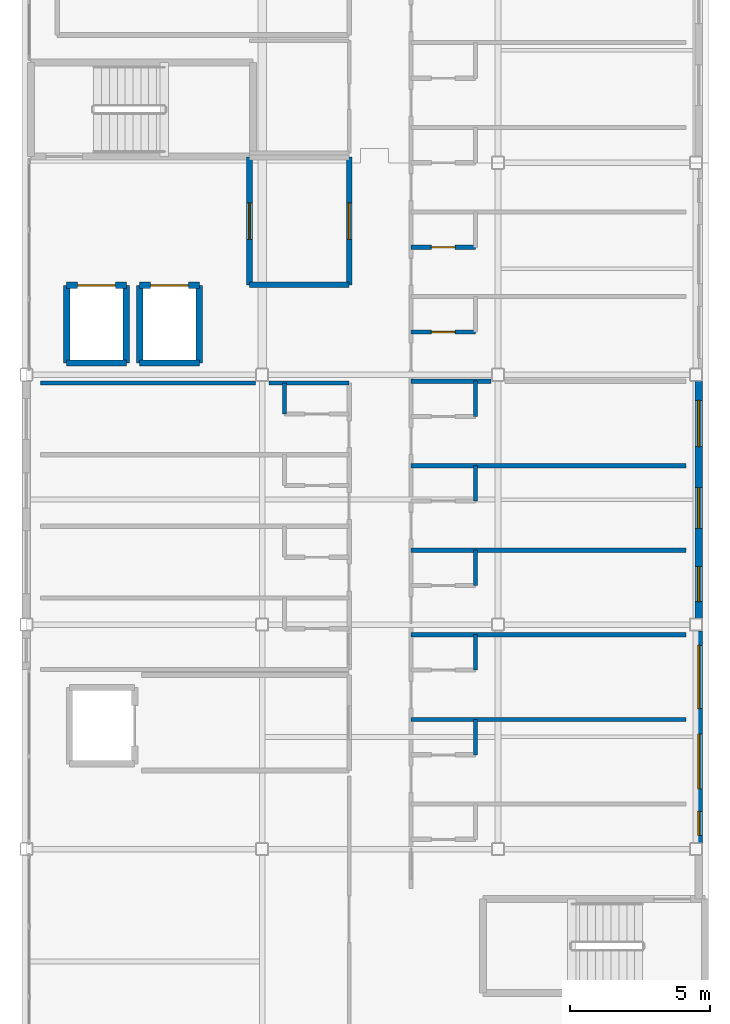
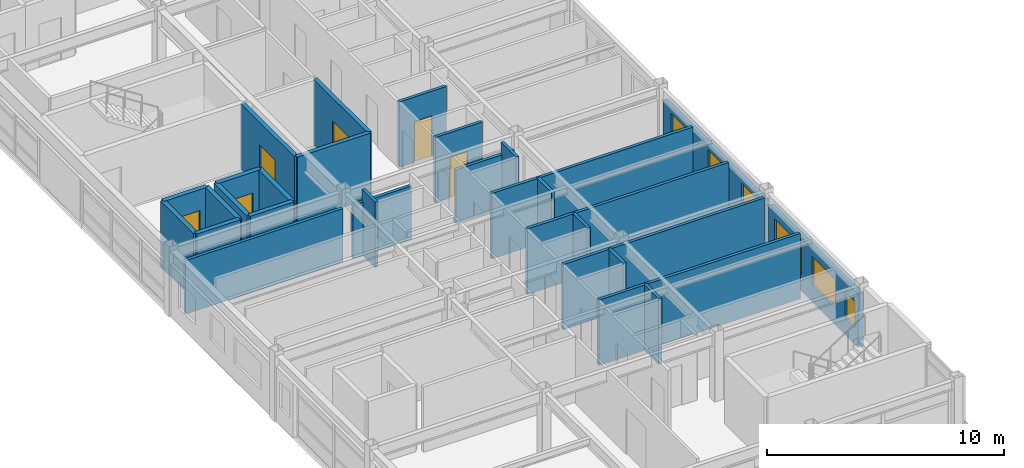
# One storey, part 21 of 28: 28 walls, 6 doors, 6 windows, 12 openings.
"""IFC4 building model written with IfcOpenShell, lengths in metres."""

from ifc_helpers import new_model, si_unit, direction, frame, frame_2d, origin, place, context, subcontext, project, spatial, rectangle, extrude, material, layer, layer_set, type_object, element, fill, save


model = new_model("IFC4")

# Units and contexts
model_context = context("Model", 3, precision=1e-05, world=origin(), true_north=direction((0.0, 1.0)))
body_context = subcontext(model_context, "Body", "Model", "MODEL_VIEW")
ifc_project = project(units=[si_unit("LENGTHUNIT", "METRE"), si_unit("AREAUNIT", "SQUARE_METRE"), si_unit("VOLUMEUNIT", "CUBIC_METRE"), si_unit("PLANEANGLEUNIT", "RADIAN"), si_unit("MASSUNIT", "GRAM", prefix="KILO")], contexts=[model_context])

# Site, building, storey
site_placement = place(None, origin())
site = spatial("IfcSite", under=ifc_project, at=site_placement, CompositionType="ELEMENT")
building_placement = place(site_placement, origin())
building = spatial("IfcBuilding", under=site, at=building_placement, Name="Kazehara Bluff Congress Hotel", CompositionType="ELEMENT")
storey_placement = place(building_placement, frame((0.0, 0.0, 42.60009765625)))
storey = spatial("IfcBuildingStorey", under=building, at=storey_placement, Name="L10", CompositionType="ELEMENT", Elevation=42.60009765625)

# Wall, openings, windows
ifc_material_1 = material(Name="Precast concrete C40/50", Category="concrete")
ifc_layer_1 = layer(ifc_material_1, 0.260009765625)
ifc_layer_set_1 = layer_set([ifc_layer_1], Name="Precast concrete C40/50")
wall_type_1 = type_object("IfcWallType", Name="TP-EW-260", PredefinedType="SOLIDWALL", material=ifc_layer_set_1)
wall_1_placement = place(storey_placement, frame((167.64990234375, 31.77490234375, 0.0), z_axis=(0.0, 0.0, 1.0), x_axis=(0.0, -1.0, 0.0)))
wall_1 = element("IfcWall", 1, at=wall_1_placement, inside=storey, type_object=wall_type_1, Name="L10 hotel facade panel 151", PredefinedType="SOLIDWALL", context=body_context, shape_type="SweptSolid", body=[
    extrude(rectangle(XDim=7.5498046875, YDim=0.260009765625, at=frame_2d((3.77490234375, 0.0))), origin(), (0.0, 0.0, 1.0), 2.7548828125),
])
opening_1_placement = place(wall_1_placement, frame((6.429931640625, 0.0, 0.85009765625)))
opening_1 = element("IfcOpeningElement", 2, at=opening_1_placement, cuts=wall_1, Name="Opening WN-55", PredefinedType="OPENING", context=body_context, shape_type="SweptSolid", body=[
    extrude(rectangle(XDim=0.85009765625, YDim=1.35009765625, at=frame_2d((0.425048828125, 0.675048828125))), frame((0.0, 0.139892578125, 0.0), z_axis=(0.0, -1.0, 0.0), x_axis=(1.0, 0.0, 0.0)), (0.0, 0.0, 1.0), 0.280029296875),
])
opening_2_placement = place(wall_1_placement, frame((3.679931640625, 0.0, 0.85009765625)))
opening_2 = element("IfcOpeningElement", 3, at=opening_2_placement, cuts=wall_1, Name="Opening WN-42", PredefinedType="OPENING", context=body_context, shape_type="SweptSolid", body=[
    extrude(rectangle(XDim=1.949951171875, YDim=1.5, at=frame_2d((0.97509765625, 0.75))), frame((0.0, 0.139892578125, 0.0), z_axis=(0.0, -1.0, 0.0), x_axis=(1.0, 0.0, 0.0)), (0.0, 0.0, 1.0), 0.280029296875),
])
opening_3_placement = place(wall_1_placement, frame((0.514892578125, 0.0, 0.85009765625)))
opening_3 = element("IfcOpeningElement", 4, at=opening_3_placement, cuts=wall_1, Name="Opening WN-52", PredefinedType="OPENING", context=body_context, shape_type="SweptSolid", body=[
    extrude(rectangle(XDim=2.25, YDim=1.5, at=frame_2d((1.125, 0.75))), frame((0.0, 0.139892578125, 0.0), z_axis=(0.0, -1.0, 0.0), x_axis=(1.0, 0.0, 0.0)), (0.0, 0.0, 1.0), 0.280029296875),
])
ifc_material_2 = material(Name="Insulated low-E double glazing", Category="glass")
window_type_1 = type_object("IfcWindowType", Name="TP-WN-42", PartitioningType="DOUBLE_PANEL_VERTICAL", PredefinedType="WINDOW", material=ifc_material_2)
window_1_placement = place(opening_2_placement, origin())
window_1 = element("IfcWindow", 5, at=window_1_placement, inside=storey, type_object=window_type_1, Name="L10 guestroom window WN-42 296", OverallHeight=1.5, OverallWidth=1.949951171875, PartitioningType="SINGLE_PANEL", PredefinedType="WINDOW", context=body_context, shape_type="SweptSolid", body=[
    extrude(rectangle(XDim=1.949951171875, YDim=1.5, at=frame_2d((0.97509765625, 0.75))), frame((0.0, 0.030029296875, 0.0), z_axis=(0.0, -1.0, 0.0), x_axis=(1.0, 0.0, 0.0)), (0.0, 0.0, 1.0), 0.06005859375),
])
fill(opening_2, window_1)
ifc_material_3 = material(Name="Insulated low-E double glazing", Category="glass")
window_type_2 = type_object("IfcWindowType", Name="TP-WN-52", PartitioningType="DOUBLE_PANEL_VERTICAL", PredefinedType="WINDOW", material=ifc_material_3)
window_2_placement = place(opening_3_placement, origin())
window_2 = element("IfcWindow", 6, at=window_2_placement, inside=storey, type_object=window_type_2, Name="L10 guestroom window WN-52 297", OverallHeight=1.5, OverallWidth=2.25, PartitioningType="SINGLE_PANEL", PredefinedType="WINDOW", context=body_context, shape_type="SweptSolid", body=[
    extrude(rectangle(XDim=2.25, YDim=1.5, at=frame_2d((1.125, 0.75))), frame((0.0, 0.030029296875, 0.0), z_axis=(0.0, -1.0, 0.0), x_axis=(1.0, 0.0, 0.0)), (0.0, 0.0, 1.0), 0.06005859375),
])
fill(opening_3, window_2)
ifc_material_4 = material(Name="Insulated low-E double glazing", Category="glass")
window_type_3 = type_object("IfcWindowType", Name="TP-WN-55", PartitioningType="SINGLE_PANEL", PredefinedType="WINDOW", material=ifc_material_4)
window_3_placement = place(opening_1_placement, origin())
window_3 = element("IfcWindow", 7, at=window_3_placement, inside=storey, type_object=window_type_3, Name="L10 guestroom window WN-55 295", OverallHeight=1.35009765625, OverallWidth=0.85009765625, PartitioningType="SINGLE_PANEL", PredefinedType="WINDOW", context=body_context, shape_type="SweptSolid", body=[
    extrude(rectangle(XDim=0.85009765625, YDim=1.35009765625, at=frame_2d((0.425048828125, 0.675048828125))), frame((0.0, 0.030029296875, 0.0), z_axis=(0.0, -1.0, 0.0), x_axis=(1.0, 0.0, 0.0)), (0.0, 0.0, 1.0), 0.06005859375),
])
fill(opening_1, window_3)

wall_2_placement = place(storey_placement, frame((167.64990234375, 40.675048828125, 0.0), z_axis=(0.0, 0.0, 1.0), x_axis=(0.0, -1.0, 0.0)))
wall_2 = element("IfcWall", 8, at=wall_2_placement, inside=storey, type_object=wall_type_1, Name="L10 hotel facade panel 152", PredefinedType="SOLIDWALL", context=body_context, shape_type="SweptSolid", body=[
    extrude(rectangle(XDim=8.449951171875, YDim=0.260009765625, at=frame_2d((4.22509765625, 0.0))), origin(), (0.0, 0.0, 1.0), 2.7548828125),
])
opening_4_placement = place(wall_2_placement, frame((6.610107421875, 0.0, 0.85009765625)))
opening_4 = element("IfcOpeningElement", 9, at=opening_4_placement, cuts=wall_2, Name="Opening WN-08", PredefinedType="OPENING", context=body_context, shape_type="SweptSolid", body=[
    extrude(rectangle(XDim=1.25, YDim=1.64990234375, at=frame_2d((0.625, 0.824951171875))), frame((0.0, 0.139892578125, 0.0), z_axis=(0.0, -1.0, 0.0), x_axis=(1.0, 0.0, 0.0)), (0.0, 0.0, 1.0), 0.280029296875),
])
opening_5_placement = place(wall_2_placement, frame((3.794921875, 0.0, 0.85009765625)))
opening_5 = element("IfcOpeningElement", 10, at=opening_5_placement, cuts=wall_2, Name="Opening WN-18", PredefinedType="OPENING", context=body_context, shape_type="SweptSolid", body=[
    extrude(rectangle(XDim=1.449951171875, YDim=1.64990234375, at=frame_2d((0.72509765625, 0.824951171875))), frame((0.0, 0.139892578125, 0.0), z_axis=(0.0, -1.0, 0.0), x_axis=(1.0, 0.0, 0.0)), (0.0, 0.0, 1.0), 0.280029296875),
])
opening_6_placement = place(wall_2_placement, frame((0.68505859375, 0.0, 0.85009765625)))
opening_6 = element("IfcOpeningElement", 11, at=opening_6_placement, cuts=wall_2, Name="Opening WN-28", PredefinedType="OPENING", context=body_context, shape_type="SweptSolid", body=[
    extrude(rectangle(XDim=1.64990234375, YDim=1.64990234375, at=frame_2d((0.824951171875, 0.824951171875))), frame((0.0, 0.139892578125, 0.0), z_axis=(0.0, -1.0, 0.0), x_axis=(1.0, 0.0, 0.0)), (0.0, 0.0, 1.0), 0.280029296875),
])
ifc_material_5 = material(Name="Insulated low-E double glazing", Category="glass")
window_type_4 = type_object("IfcWindowType", Name="TP-WN-08", PartitioningType="SINGLE_PANEL", PredefinedType="WINDOW", material=ifc_material_5)
window_4_placement = place(opening_4_placement, origin())
window_4 = element("IfcWindow", 12, at=window_4_placement, inside=storey, type_object=window_type_4, Name="L10 guestroom window WN-08 298", OverallHeight=1.64990234375, OverallWidth=1.25, PartitioningType="SINGLE_PANEL", PredefinedType="WINDOW", context=body_context, shape_type="SweptSolid", body=[
    extrude(rectangle(XDim=1.25, YDim=1.64990234375, at=frame_2d((0.625, 0.824951171875))), frame((0.0, 0.030029296875, 0.0), z_axis=(0.0, -1.0, 0.0), x_axis=(1.0, 0.0, 0.0)), (0.0, 0.0, 1.0), 0.06005859375),
])
fill(opening_4, window_4)
ifc_material_6 = material(Name="Insulated low-E double glazing", Category="glass")
window_type_5 = type_object("IfcWindowType", Name="TP-WN-18", PartitioningType="SINGLE_PANEL", PredefinedType="WINDOW", material=ifc_material_6)
window_5_placement = place(opening_5_placement, origin())
window_5 = element("IfcWindow", 13, at=window_5_placement, inside=storey, type_object=window_type_5, Name="L10 guestroom window WN-18 299", OverallHeight=1.64990234375, OverallWidth=1.449951171875, PartitioningType="SINGLE_PANEL", PredefinedType="WINDOW", context=body_context, shape_type="SweptSolid", body=[
    extrude(rectangle(XDim=1.449951171875, YDim=1.64990234375, at=frame_2d((0.72509765625, 0.824951171875))), frame((0.0, 0.030029296875, 0.0), z_axis=(0.0, -1.0, 0.0), x_axis=(1.0, 0.0, 0.0)), (0.0, 0.0, 1.0), 0.06005859375),
])
fill(opening_5, window_5)
ifc_material_7 = material(Name="Insulated low-E double glazing", Category="glass")
window_type_6 = type_object("IfcWindowType", Name="TP-WN-28", PartitioningType="SINGLE_PANEL", PredefinedType="WINDOW", material=ifc_material_7)
window_6_placement = place(opening_6_placement, origin())
window_6 = element("IfcWindow", 14, at=window_6_placement, inside=storey, type_object=window_type_6, Name="L10 guestroom window WN-28 300", OverallHeight=1.64990234375, OverallWidth=1.64990234375, PartitioningType="SINGLE_PANEL", PredefinedType="WINDOW", context=body_context, shape_type="SweptSolid", body=[
    extrude(rectangle(XDim=1.64990234375, YDim=1.64990234375, at=frame_2d((0.824951171875, 0.824951171875))), frame((0.0, 0.030029296875, 0.0), z_axis=(0.0, -1.0, 0.0), x_axis=(1.0, 0.0, 0.0)), (0.0, 0.0, 1.0), 0.06005859375),
])
fill(opening_6, window_6)

# Wall
ifc_material_8 = material(Name="Concrete C40/50", Category="concrete")
ifc_layer_2 = layer(ifc_material_8, 0.199951171875)
ifc_layer_set_2 = layer_set([ifc_layer_2], Name="Concrete C40/50")
wall_type_2 = type_object("IfcWallType", Name="TP-FW-RC", PredefinedType="SOLIDWALL", material=ifc_layer_set_2)
wall_3_placement = place(storey_placement, frame((151.64990234375, 44.10009765625, 0.0), z_axis=(0.0, 0.0, 1.0), x_axis=(1.0, 0.0, 0.0)))
element("IfcWall", 15, at=wall_3_placement, inside=storey, type_object=wall_type_2, Name="L10 partition FW-RC 1343", PredefinedType="SOLIDWALL", context=body_context, shape_type="SweptSolid", body=[
    extrude(rectangle(XDim=3.550048828125, YDim=0.199951171875, at=frame_2d((1.77490234375, 0.0))), origin(), (0.0, 0.0, 1.0), 3.364990234375),
])

# Wall, opening, door
wall_4_placement = place(storey_placement, frame((151.64990234375, 44.10009765625, 0.0), z_axis=(0.0, 0.0, 1.0), x_axis=(0.0, 1.0, 0.0)))
wall_4 = element("IfcWall", 16, at=wall_4_placement, inside=storey, type_object=wall_type_2, Name="L10 partition FW-RC 1379", PredefinedType="SOLIDWALL", context=body_context, shape_type="SweptSolid", body=[
    extrude(rectangle(XDim=4.5498046875, YDim=0.199951171875, at=frame_2d((2.27490234375, 0.0))), origin(), (0.0, 0.0, 1.0), 3.364990234375),
])
opening_7_placement = place(wall_4_placement, frame((1.625, 0.0, 0.0)))
opening_7 = element("IfcOpeningElement", 17, at=opening_7_placement, cuts=wall_4, Name="Opening FD-01", PredefinedType="OPENING", context=body_context, shape_type="SweptSolid", body=[
    extrude(rectangle(XDim=1.300048828125, YDim=2.199951171875, at=frame_2d((0.64990234375, 1.10009765625))), frame((0.0, 0.10986328125, 0.0), z_axis=(0.0, -1.0, 0.0), x_axis=(1.0, 0.0, 0.0)), (0.0, 0.0, 1.0), 0.219970703125),
])
ifc_material_9 = material(Name="Fire-rated painted steel leaf", Category="steel")
door_type_1 = type_object("IfcDoorType", Name="TP-FD-01", OperationType="NOTDEFINED", PredefinedType="DOOR", material=ifc_material_9)
door_1_placement = place(opening_7_placement, origin())
door_1 = element("IfcDoor", 18, at=door_1_placement, inside=storey, type_object=door_type_1, Name="L10 Emergency Firefighting Lobby door", OperationType="SINGLE_SWING_LEFT", OverallHeight=2.199951171875, OverallWidth=1.300048828125, PredefinedType="DOOR", context=body_context, shape_type="SweptSolid", body=[
    extrude(rectangle(XDim=1.300048828125, YDim=2.199951171875, at=frame_2d((0.64990234375, 1.10009765625))), frame((0.0, 0.02490234375, 0.0), z_axis=(0.0, -1.0, 0.0), x_axis=(1.0, 0.0, 0.0)), (0.0, 0.0, 1.0), 0.050048828125),
])
fill(opening_7, door_1)

wall_5_placement = place(storey_placement, frame((155.199951171875, 44.10009765625, 0.0), z_axis=(0.0, 0.0, 1.0), x_axis=(0.0, 1.0, 0.0)))
wall_5 = element("IfcWall", 19, at=wall_5_placement, inside=storey, type_object=wall_type_2, Name="L10 partition FW-RC 1393", PredefinedType="SOLIDWALL", context=body_context, shape_type="SweptSolid", body=[
    extrude(rectangle(XDim=4.5498046875, YDim=0.199951171875, at=frame_2d((2.27490234375, 0.0))), origin(), (0.0, 0.0, 1.0), 3.364990234375),
])
opening_8_placement = place(wall_5_placement, frame((1.625, 0.0, 0.0)))
opening_8 = element("IfcOpeningElement", 20, at=opening_8_placement, cuts=wall_5, Name="Opening FD-01", PredefinedType="OPENING", context=body_context, shape_type="SweptSolid", body=[
    extrude(rectangle(XDim=1.300048828125, YDim=2.199951171875, at=frame_2d((0.64990234375, 1.10009765625))), frame((0.0, 0.10986328125, 0.0), z_axis=(0.0, -1.0, 0.0), x_axis=(1.0, 0.0, 0.0)), (0.0, 0.0, 1.0), 0.219970703125),
])
door_2_placement = place(opening_8_placement, origin())
door_2 = element("IfcDoor", 21, at=door_2_placement, inside=storey, type_object=door_type_1, Name="L10 Smoke Vestibule Lobby door", OperationType="SINGLE_SWING_RIGHT", OverallHeight=2.199951171875, OverallWidth=1.300048828125, PredefinedType="DOOR", context=body_context, shape_type="SweptSolid", body=[
    extrude(rectangle(XDim=1.300048828125, YDim=2.199951171875, at=frame_2d((0.64990234375, 1.10009765625))), frame((0.0, 0.02490234375, 0.0), z_axis=(0.0, -1.0, 0.0), x_axis=(1.0, 0.0, 0.0)), (0.0, 0.0, 1.0), 0.050048828125),
])
fill(opening_8, door_2)

# Walls
ifc_material_10 = material(Name="Fire-rated gypsum board stud partition")
ifc_layer_3 = layer(ifc_material_10, 0.14990234375)
ifc_layer_set_3 = layer_set([ifc_layer_3], Name="Fire-rated gypsum board stud partition")
wall_type_3 = type_object("IfcWallType", Name="TP-PT-150", PredefinedType="PARTITIONING", material=ifc_layer_set_3)
for number, where, z_axis, x_axis, name in (
    (22, (157.39990234375, 28.6201171875, 0.0), (0.0, 0.0, 1.0), (1.0, 0.0, 0.0), "L10 partition PT-150 1320"),
    (23, (157.39990234375, 31.639892578125, 0.0), (0.0, 0.0, 1.0), (1.0, 0.0, 0.0), "L10 partition PT-150 1324"),
    (24, (157.39990234375, 34.64990234375, 0.0), (0.0, 0.0, 1.0), (1.0, 0.0, 0.0), "L10 partition PT-150 1329"),
    (25, (157.39990234375, 37.659912109375, 0.0), (0.0, 0.0, 1.0), (1.0, 0.0, 0.0), "L10 partition PT-150 1333"),
):
    element("IfcWall", number, at=place(storey_placement, frame(where, z_axis=z_axis, x_axis=x_axis)), inside=storey, type_object=wall_type_3, Name=name, PredefinedType="PARTITIONING", context=body_context, shape_type="SweptSolid", body=[
        extrude(rectangle(XDim=9.800048828125, YDim=0.14990234375, at=frame_2d((4.89990234375, 0.0))), origin(), (0.0, 0.0, 1.0), 3.364990234375),
    ])
wall_6_placement = place(storey_placement, frame((144.199951171875, 40.60009765625, 0.0), z_axis=(0.0, 0.0, 1.0), x_axis=(1.0, 0.0, 0.0)))
element("IfcWall", 26, at=wall_6_placement, inside=storey, type_object=wall_type_3, Name="L10 partition PT-150 1337", PredefinedType="PARTITIONING", context=body_context, shape_type="SweptSolid", body=[
    extrude(rectangle(XDim=7.655029296875, YDim=0.14990234375, at=frame_2d((3.82763671875, 0.0))), origin(), (0.0, 0.0, 1.0), 2.7548828125),
])
for number, where, z_axis, x_axis, name in (
    (27, (152.344970703125, 40.60009765625, 0.0), (0.0, 0.0, 1.0), (1.0, 0.0, 0.0), "L10 partition PT-150 1338"),
    (28, (157.39990234375, 40.669921875, 0.0), (0.0, 0.0, 1.0), (1.0, 0.0, 0.0), "L10 partition PT-150 1339"),
):
    element("IfcWall", number, at=place(storey_placement, frame(where, z_axis=z_axis, x_axis=x_axis)), inside=storey, type_object=wall_type_3, Name=name, PredefinedType="PARTITIONING", context=body_context, shape_type="SweptSolid", body=[
        extrude(rectangle(XDim=2.85498046875, YDim=0.14990234375, at=frame_2d((1.427490234375, 0.0))), origin(), (0.0, 0.0, 1.0), 2.7548828125),
    ])

# Wall, opening, door
wall_7_placement = place(storey_placement, frame((157.39990234375, 42.419921875, 0.0), z_axis=(0.0, 0.0, 1.0), x_axis=(1.0, 0.0, 0.0)))
wall_7 = element("IfcWall", 29, at=wall_7_placement, inside=storey, type_object=wall_type_3, Name="L10 partition PT-150 1341", PredefinedType="PARTITIONING", context=body_context, shape_type="SweptSolid", body=[
    extrude(rectangle(XDim=2.300048828125, YDim=0.14990234375, at=frame_2d((1.14990234375, 0.0))), origin(), (0.0, 0.0, 1.0), 3.364990234375),
])
opening_9_placement = place(wall_7_placement, frame((0.72509765625, 0.0, 0.0)))
opening_9 = element("IfcOpeningElement", 30, at=opening_9_placement, cuts=wall_7, Name="Opening BD-01", PredefinedType="OPENING", context=body_context, shape_type="SweptSolid", body=[
    extrude(rectangle(XDim=0.85009765625, YDim=2.10009765625, at=frame_2d((0.425048828125, 1.050048828125))), frame((0.0, 0.0849609375, 0.0), z_axis=(0.0, -1.0, 0.0), x_axis=(1.0, 0.0, 0.0)), (0.0, 0.0, 1.0), 0.169921875),
])
ifc_material_11 = material(Name="Architectural oak veneer leaf")
door_type_2 = type_object("IfcDoorType", Name="TP-BD-01", OperationType="NOTDEFINED", PredefinedType="DOOR", material=ifc_material_11)
door_3_placement = place(opening_9_placement, origin())
door_3 = element("IfcDoor", 31, at=door_3_placement, inside=storey, type_object=door_type_2, Name="L10 En-suite Bathroom 311 door", OperationType="SINGLE_SWING_RIGHT", OverallHeight=2.10009765625, OverallWidth=0.85009765625, PredefinedType="DOOR", context=body_context, shape_type="SweptSolid", body=[
    extrude(rectangle(XDim=0.85009765625, YDim=2.10009765625, at=frame_2d((0.425048828125, 1.050048828125))), frame((0.0, 0.02490234375, 0.0), z_axis=(0.0, -1.0, 0.0), x_axis=(1.0, 0.0, 0.0)), (0.0, 0.0, 1.0), 0.050048828125),
])
fill(opening_9, door_3)

wall_8_placement = place(storey_placement, frame((157.39990234375, 45.43994140625, 0.0), z_axis=(0.0, 0.0, 1.0), x_axis=(1.0, 0.0, 0.0)))
wall_8 = element("IfcWall", 32, at=wall_8_placement, inside=storey, type_object=wall_type_3, Name="L10 partition PT-150 1344", PredefinedType="PARTITIONING", context=body_context, shape_type="SweptSolid", body=[
    extrude(rectangle(XDim=2.300048828125, YDim=0.14990234375, at=frame_2d((1.14990234375, 0.0))), origin(), (0.0, 0.0, 1.0), 3.364990234375),
])
opening_10_placement = place(wall_8_placement, frame((0.72509765625, 0.0, 0.0)))
opening_10 = element("IfcOpeningElement", 33, at=opening_10_placement, cuts=wall_8, Name="Opening BD-01", PredefinedType="OPENING", context=body_context, shape_type="SweptSolid", body=[
    extrude(rectangle(XDim=0.85009765625, YDim=2.10009765625, at=frame_2d((0.425048828125, 1.050048828125))), frame((0.0, 0.0849609375, 0.0), z_axis=(0.0, -1.0, 0.0), x_axis=(1.0, 0.0, 0.0)), (0.0, 0.0, 1.0), 0.169921875),
])
door_4_placement = place(opening_10_placement, origin())
door_4 = element("IfcDoor", 34, at=door_4_placement, inside=storey, type_object=door_type_2, Name="L10 En-suite Bathroom 312 door", OperationType="SINGLE_SWING_RIGHT", OverallHeight=2.10009765625, OverallWidth=0.85009765625, PredefinedType="DOOR", context=body_context, shape_type="SweptSolid", body=[
    extrude(rectangle(XDim=0.85009765625, YDim=2.10009765625, at=frame_2d((0.425048828125, 1.050048828125))), frame((0.0, 0.02490234375, 0.0), z_axis=(0.0, -1.0, 0.0), x_axis=(1.0, 0.0, 0.0)), (0.0, 0.0, 1.0), 0.050048828125),
])
fill(opening_10, door_4)

# Walls
wall_9_placement = place(storey_placement, frame((152.89990234375, 39.5, 0.0), z_axis=(0.0, 0.0, 1.0), x_axis=(0.0, 1.0, 0.0)))
element("IfcWall", 35, at=wall_9_placement, inside=storey, type_object=wall_type_3, Name="L10 partition PT-150 1383", PredefinedType="PARTITIONING", context=body_context, shape_type="SweptSolid", body=[
    extrude(rectangle(XDim=1.10009765625, YDim=0.14990234375, at=frame_2d((0.550048828125, 0.0))), origin(), (0.0, 0.0, 1.0), 3.364990234375),
])
for number, where, z_axis, x_axis, name in (
    (36, (159.699951171875, 27.360107421875, 0.0), (0.0, 0.0, 1.0), (0.0, 1.0, 0.0), "L10 partition PT-150 1400"),
    (37, (159.699951171875, 30.375, 0.0), (0.0, 0.0, 1.0), (0.0, 1.0, 0.0), "L10 partition PT-150 1401"),
):
    element("IfcWall", number, at=place(storey_placement, frame(where, z_axis=z_axis, x_axis=x_axis)), inside=storey, type_object=wall_type_3, Name=name, PredefinedType="PARTITIONING", context=body_context, shape_type="SweptSolid", body=[
        extrude(rectangle(XDim=1.264892578125, YDim=0.14990234375, at=frame_2d((0.63232421875, 0.0))), origin(), (0.0, 0.0, 1.0), 3.364990234375),
    ])
for number, where, z_axis, x_axis, name in (
    (38, (159.699951171875, 33.389892578125, 0.0), (0.0, 0.0, 1.0), (0.0, 1.0, 0.0), "L10 partition PT-150 1402"),
    (39, (159.699951171875, 36.39990234375, 0.0), (0.0, 0.0, 1.0), (0.0, 1.0, 0.0), "L10 partition PT-150 1403"),
):
    element("IfcWall", number, at=place(storey_placement, frame(where, z_axis=z_axis, x_axis=x_axis)), inside=storey, type_object=wall_type_3, Name=name, PredefinedType="PARTITIONING", context=body_context, shape_type="SweptSolid", body=[
        extrude(rectangle(XDim=1.260009765625, YDim=0.14990234375, at=frame_2d((0.6298828125, 0.0))), origin(), (0.0, 0.0, 1.0), 3.364990234375),
    ])
wall_10_placement = place(storey_placement, frame((159.699951171875, 39.409912109375, 0.0), z_axis=(0.0, 0.0, 1.0), x_axis=(0.0, 1.0, 0.0)))
element("IfcWall", 40, at=wall_10_placement, inside=storey, type_object=wall_type_3, Name="L10 partition PT-150 1404", PredefinedType="PARTITIONING", context=body_context, shape_type="SweptSolid", body=[
    extrude(rectangle(XDim=1.26513671875, YDim=0.14990234375, at=frame_2d((0.632568359375, 0.0))), origin(), (0.0, 0.0, 1.0), 3.364990234375),
])

# Wall, opening, door
ifc_material_12 = material(Name="Concrete C40/50", Category="concrete")
ifc_layer_4 = layer(ifc_material_12, 0.219970703125)
ifc_layer_set_4 = layer_set([ifc_layer_4], Name="Concrete C40/50")
wall_type_4 = type_object("IfcWallType", Name="TP-SW-RC", PredefinedType="SHEAR", material=ifc_layer_set_4)
wall_11_placement = place(storey_placement, frame((145.139892578125, 44.0849609375, 0.0), z_axis=(0.0, 0.0, 1.0), x_axis=(1.0, 0.0, 0.0)))
wall_11 = element("IfcWall", 41, at=wall_11_placement, inside=storey, type_object=wall_type_4, Name="L10 EL-E1 lift shaft wall +Y", PredefinedType="SHEAR", context=body_context, shape_type="SweptSolid", body=[
    extrude(rectangle(XDim=2.1201171875, YDim=0.219970703125, at=frame_2d((1.06005859375, 0.0))), origin(), (0.0, 0.0, 1.0), 3.3798828125),
])
opening_11_placement = place(wall_11_placement, frame((0.385009765625, 0.0, 0.0)))
opening_11 = element("IfcOpeningElement", 42, at=opening_11_placement, cuts=wall_11, Name="Opening LD-03", PredefinedType="OPENING", context=body_context, shape_type="SweptSolid", body=[
    extrude(rectangle(XDim=1.35009765625, YDim=2.300048828125, at=frame_2d((0.675048828125, 1.14990234375))), frame((0.0, 0.119873046875, 0.0), z_axis=(0.0, -1.0, 0.0), x_axis=(1.0, 0.0, 0.0)), (0.0, 0.0, 1.0), 0.239990234375),
])
ifc_material_13 = material(Name="Fire-rated painted steel leaf", Category="steel")
door_type_3 = type_object("IfcDoorType", Name="TP-LD-03", OperationType="SLIDING_TO_LEFT", PredefinedType="DOOR", material=ifc_material_13)
door_5_placement = place(opening_11_placement, origin())
door_5 = element("IfcDoor", 43, at=door_5_placement, inside=storey, type_object=door_type_3, Name="L10 EL-E1 elevator landing door", OperationType="SLIDING_TO_LEFT", OverallHeight=2.300048828125, OverallWidth=1.35009765625, PredefinedType="DOOR", context=body_context, shape_type="SweptSolid", body=[
    extrude(rectangle(XDim=1.35009765625, YDim=2.300048828125, at=frame_2d((0.675048828125, 1.14990234375))), frame((0.0, 0.02490234375, 0.0), z_axis=(0.0, -1.0, 0.0), x_axis=(1.0, 0.0, 0.0)), (0.0, 0.0, 1.0), 0.050048828125),
])
fill(opening_11, door_5)

# Walls
wall_12_placement = place(storey_placement, frame((145.139892578125, 41.31494140625, 0.0), z_axis=(0.0, 0.0, 1.0), x_axis=(1.0, 0.0, 0.0)))
element("IfcWall", 44, at=wall_12_placement, inside=storey, type_object=wall_type_4, Name="L10 EL-E1 lift shaft wall -Y", PredefinedType="SHEAR", context=body_context, shape_type="SweptSolid", body=[
    extrude(rectangle(XDim=2.1201171875, YDim=0.219970703125, at=frame_2d((1.06005859375, 0.0))), origin(), (0.0, 0.0, 1.0), 3.3798828125),
])
for number, where, z_axis, x_axis, name in (
    (45, (147.260009765625, 41.31494140625, 0.0), (0.0, 0.0, 1.0), (0.0, 1.0, 0.0), "L10 EL-E1 lift shaft wall +X"),
    (46, (145.139892578125, 41.31494140625, 0.0), (0.0, 0.0, 1.0), (0.0, 1.0, 0.0), "L10 EL-E1 lift shaft wall -X"),
):
    element("IfcWall", number, at=place(storey_placement, frame(where, z_axis=z_axis, x_axis=x_axis)), inside=storey, type_object=wall_type_4, Name=name, PredefinedType="SHEAR", context=body_context, shape_type="SweptSolid", body=[
        extrude(rectangle(XDim=2.77001953125, YDim=0.219970703125, at=frame_2d((1.385009765625, 0.0))), origin(), (0.0, 0.0, 1.0), 3.3798828125),
    ])

# Wall, opening, door
wall_13_placement = place(storey_placement, frame((147.739990234375, 44.0849609375, 0.0), z_axis=(0.0, 0.0, 1.0), x_axis=(1.0, 0.0, 0.0)))
wall_13 = element("IfcWall", 47, at=wall_13_placement, inside=storey, type_object=wall_type_4, Name="L10 EL-E2 lift shaft wall +Y", PredefinedType="SHEAR", context=body_context, shape_type="SweptSolid", body=[
    extrude(rectangle(XDim=2.1201171875, YDim=0.219970703125, at=frame_2d((1.06005859375, 0.0))), origin(), (0.0, 0.0, 1.0), 3.3798828125),
])
opening_12_placement = place(wall_13_placement, frame((0.385009765625, 0.0, 0.0)))
opening_12 = element("IfcOpeningElement", 48, at=opening_12_placement, cuts=wall_13, Name="Opening LD-03", PredefinedType="OPENING", context=body_context, shape_type="SweptSolid", body=[
    extrude(rectangle(XDim=1.35009765625, YDim=2.300048828125, at=frame_2d((0.675048828125, 1.14990234375))), frame((0.0, 0.119873046875, 0.0), z_axis=(0.0, -1.0, 0.0), x_axis=(1.0, 0.0, 0.0)), (0.0, 0.0, 1.0), 0.239990234375),
])
door_6_placement = place(opening_12_placement, origin())
door_6 = element("IfcDoor", 49, at=door_6_placement, inside=storey, type_object=door_type_3, Name="L10 EL-E2 elevator landing door", OperationType="SLIDING_TO_LEFT", OverallHeight=2.300048828125, OverallWidth=1.35009765625, PredefinedType="DOOR", context=body_context, shape_type="SweptSolid", body=[
    extrude(rectangle(XDim=1.35009765625, YDim=2.300048828125, at=frame_2d((0.675048828125, 1.14990234375))), frame((0.0, 0.02490234375, 0.0), z_axis=(0.0, -1.0, 0.0), x_axis=(1.0, 0.0, 0.0)), (0.0, 0.0, 1.0), 0.050048828125),
])
fill(opening_12, door_6)

# Walls
wall_14_placement = place(storey_placement, frame((147.739990234375, 41.31494140625, 0.0), z_axis=(0.0, 0.0, 1.0), x_axis=(1.0, 0.0, 0.0)))
element("IfcWall", 50, at=wall_14_placement, inside=storey, type_object=wall_type_4, Name="L10 EL-E2 lift shaft wall -Y", PredefinedType="SHEAR", context=body_context, shape_type="SweptSolid", body=[
    extrude(rectangle(XDim=2.1201171875, YDim=0.219970703125, at=frame_2d((1.06005859375, 0.0))), origin(), (0.0, 0.0, 1.0), 3.3798828125),
])
for number, where, z_axis, x_axis, name in (
    (51, (149.860107421875, 41.31494140625, 0.0), (0.0, 0.0, 1.0), (0.0, 1.0, 0.0), "L10 EL-E2 lift shaft wall +X"),
    (52, (147.739990234375, 41.31494140625, 0.0), (0.0, 0.0, 1.0), (0.0, 1.0, 0.0), "L10 EL-E2 lift shaft wall -X"),
):
    element("IfcWall", number, at=place(storey_placement, frame(where, z_axis=z_axis, x_axis=x_axis)), inside=storey, type_object=wall_type_4, Name=name, PredefinedType="SHEAR", context=body_context, shape_type="SweptSolid", body=[
        extrude(rectangle(XDim=2.77001953125, YDim=0.219970703125, at=frame_2d((1.385009765625, 0.0))), origin(), (0.0, 0.0, 1.0), 3.3798828125),
    ])

save(model, "model.ifc")
